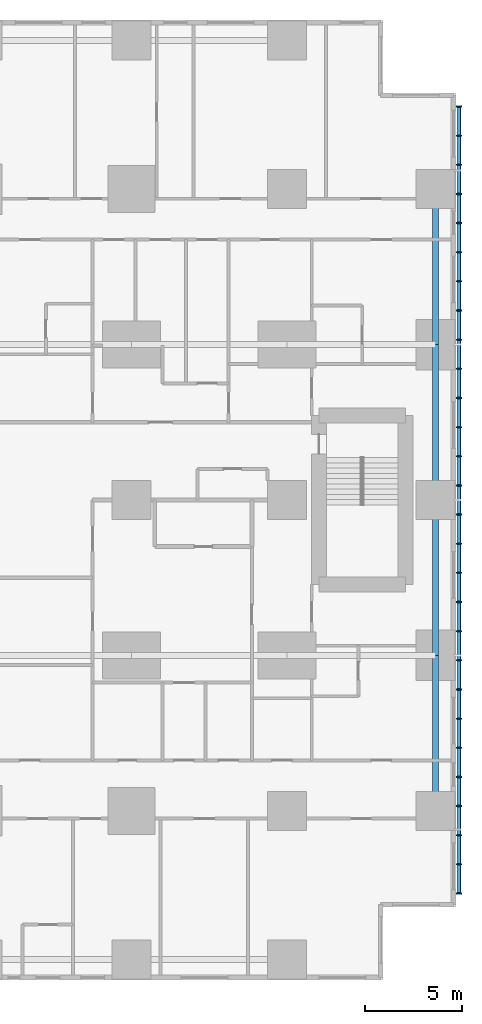
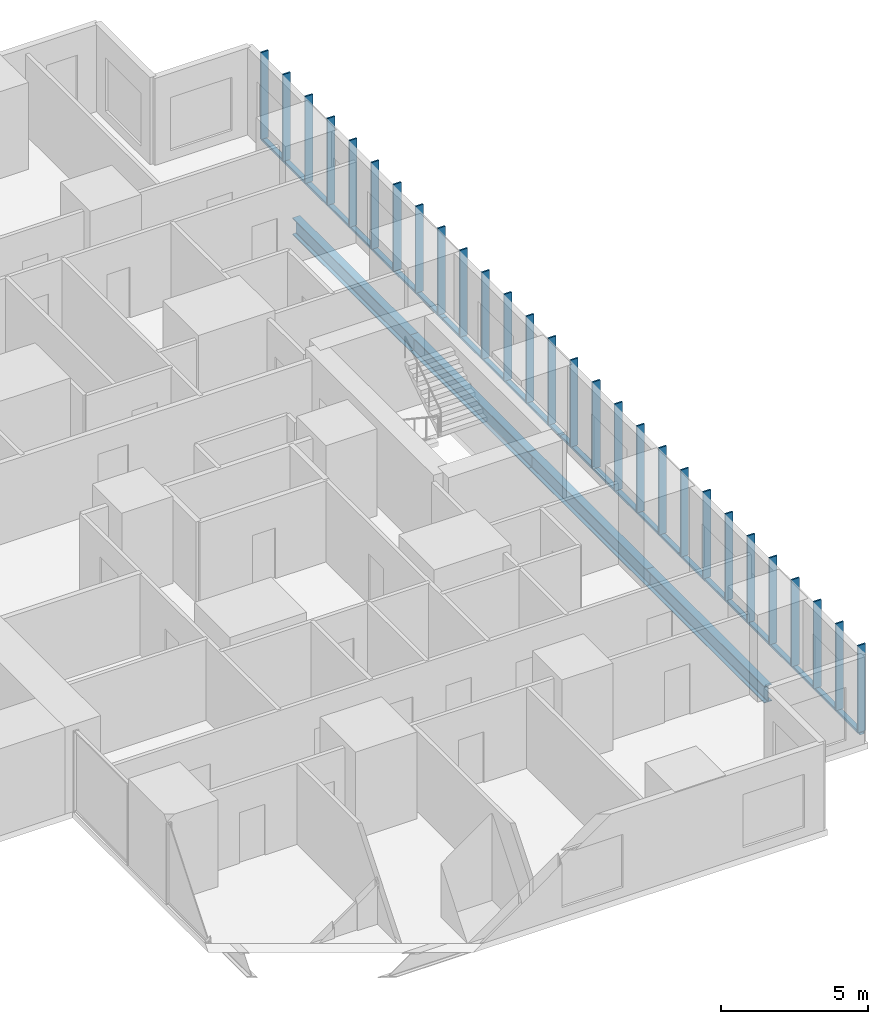
# One storey, part 6 of 20: 32 members, 4 beams.
"""IFC4 building model written with IfcOpenShell, lengths in metres."""

from ifc_helpers import new_model, si_unit, direction, frame, origin, origin_2d, place, context, subcontext, project, spatial, rectangle, hollow_rectangle, i_section, extrude, material, material_profile, profile_set, type_object, element, save


model = new_model("IFC4")

# Units and contexts
model_context = context("Model", 3, precision=1e-05, world=origin(), true_north=direction((0.0, 1.0)))
body_context = subcontext(model_context, "Body", "Model", "MODEL_VIEW")
ifc_project = project(units=[si_unit("LENGTHUNIT", "METRE"), si_unit("AREAUNIT", "SQUARE_METRE"), si_unit("VOLUMEUNIT", "CUBIC_METRE"), si_unit("PLANEANGLEUNIT", "RADIAN"), si_unit("MASSUNIT", "GRAM", prefix="KILO")], contexts=[model_context])

# Site, building, storey
site_placement = place(None, origin())
site = spatial("IfcSite", under=ifc_project, at=site_placement, CompositionType="ELEMENT")
building_placement = place(site_placement, origin())
building = spatial("IfcBuilding", under=site, at=building_placement, Name="Cleftline Residences", CompositionType="ELEMENT")
storey_placement = place(building_placement, frame((0.0, 0.0, 103.39990234375)))
storey = spatial("IfcBuildingStorey", under=building, at=storey_placement, Name="L26", CompositionType="ELEMENT", Elevation=103.39990234375)

# Members
ifc_material_1 = material(Name="Steel S355, hot-dip galvanised", Category="steel")
ifc_material_profile_1 = material_profile(ifc_material_1, hollow_rectangle(XDim=0.10009765625, YDim=0.199951171875, WallThickness=0.008056640625, InnerFilletRadius=0.008056640625, OuterFilletRadius=0.011962890625, at=origin_2d()))
ifc_profile_set_1 = profile_set([ifc_material_profile_1], Name="Steel S355, hot-dip galvanised")
member_type_1 = type_object("IfcMemberType", Name="BAGUETTE CARRIER RHS 200X100X8", PredefinedType="USERDEFINED", material=ifc_profile_set_1)
member_1_placement = place(storey_placement, frame((66.85009765625, 3.699951171875, -0.0498046875), z_axis=(0.0, 1.0, 0.0), x_axis=(0.0, 0.0, 1.0)))
element("IfcMember", 1, at=member_1_placement, inside=storey, type_object=member_type_1, Name="Baguette carrier", ObjectType="BAGUETTE CARRIER", PredefinedType="USERDEFINED", context=body_context, shape_type="SweptSolid", body=[
    extrude(hollow_rectangle(XDim=0.10009765625, YDim=0.199951171875, WallThickness=0.008056640625, InnerFilletRadius=0.008056640625, OuterFilletRadius=0.011962890625, at=origin_2d()), origin(), (0.0, 0.0, 1.0), 12.300048828125),
])
for number, where, z_axis, x_axis, name in (
    (2, (66.85009765625, 16.0, -0.0498046875), (0.0, 1.0, 0.0), (0.0, 0.0, 1.0), "Baguette carrier"),
    (3, (66.85009765625, 24.0, -0.0498046875), (0.0, 1.0, 0.0), (0.0, 0.0, 1.0), "Baguette carrier"),
):
    element("IfcMember", number, at=place(storey_placement, frame(where, z_axis=z_axis, x_axis=x_axis)), inside=storey, type_object=member_type_1, Name=name, ObjectType="BAGUETTE CARRIER", PredefinedType="USERDEFINED", context=body_context, shape_type="SweptSolid", body=[
        extrude(hollow_rectangle(XDim=0.10009765625, YDim=0.199951171875, WallThickness=0.008056640625, InnerFilletRadius=0.008056640625, OuterFilletRadius=0.011962890625, at=origin_2d()), origin(), (0.0, 0.0, 1.0), 8.0),
    ])
member_2_placement = place(storey_placement, frame((66.85009765625, 32.0, -0.0498046875), z_axis=(0.0, 1.0, 0.0), x_axis=(0.0, 0.0, 1.0)))
element("IfcMember", 4, at=member_2_placement, inside=storey, type_object=member_type_1, Name="Baguette carrier", ObjectType="BAGUETTE CARRIER", PredefinedType="USERDEFINED", context=body_context, shape_type="SweptSolid", body=[
    extrude(hollow_rectangle(XDim=0.10009765625, YDim=0.199951171875, WallThickness=0.008056640625, InnerFilletRadius=0.008056640625, OuterFilletRadius=0.011962890625, at=origin_2d()), origin(), (0.0, 0.0, 1.0), 12.300048828125),
])

# Beams
ifc_material_2 = material(Name="Steel S355", Category="steel")
ifc_material_profile_2 = material_profile(ifc_material_2, i_section(OverallWidth=0.300048828125, OverallDepth=0.699951171875, WebThickness=0.01708984375, FlangeThickness=0.031982421875, FilletRadius=0.027099609375, at=origin_2d()))
ifc_profile_set_2 = profile_set([ifc_material_profile_2], Name="Steel S355")
beam_type = type_object("IfcBeamType", Name="BEAM HEB 700", PredefinedType="BEAM", material=ifc_profile_set_2)
for number, where, z_axis, x_axis, name in (
    (5, (65.64990234375, 8.0, -0.599853515625), (0.0, 1.0, 0.0), (-1.0, 0.0, 0.0), "Edge beam"),
    (6, (65.64990234375, 16.0, -0.599853515625), (0.0, 1.0, 0.0), (-1.0, 0.0, 0.0), "Edge beam"),
    (7, (65.64990234375, 24.0, -0.599853515625), (0.0, 1.0, 0.0), (-1.0, 0.0, 0.0), "Edge beam"),
    (8, (65.64990234375, 32.0, -0.599853515625), (0.0, 1.0, 0.0), (-1.0, 0.0, 0.0), "Edge beam"),
):
    element("IfcBeam", number, at=place(storey_placement, frame(where, z_axis=z_axis, x_axis=x_axis)), inside=storey, type_object=beam_type, Name=name, PredefinedType="BEAM", context=body_context, shape_type="SweptSolid", body=[
        extrude(i_section(OverallWidth=0.300048828125, OverallDepth=0.699951171875, WebThickness=0.01708984375, FlangeThickness=0.031982421875, FilletRadius=0.027099609375, at=origin_2d()), origin(), (0.0, 0.0, 1.0), 8.0),
    ])

# Members
ifc_material_3 = material(Name="Extruded terracotta", Category="masonry")
ifc_material_profile_3 = material_profile(ifc_material_3, rectangle(XDim=0.06005859375, YDim=0.300048828125, at=origin_2d()))
ifc_profile_set_3 = profile_set([ifc_material_profile_3], Name="Extruded terracotta")
member_type_2 = type_object("IfcMemberType", Name="TERRACOTTA BAGUETTE 60X300", PredefinedType="USERDEFINED", material=ifc_profile_set_3)
for number, where, z_axis, x_axis, name in (
    (9, (66.85009765625, 3.75, 0.0), (0.0, 0.0, 1.0), (0.0, 1.0, 0.0), "Terracotta baguette"),
    (10, (66.85009765625, 5.25, 0.0), (0.0, 0.0, 1.0), (0.0, 1.0, 0.0), "Terracotta baguette"),
    (11, (66.85009765625, 6.75, 0.0), (0.0, 0.0, 1.0), (0.0, 1.0, 0.0), "Terracotta baguette"),
    (12, (66.85009765625, 8.25, 0.0), (0.0, 0.0, 1.0), (0.0, 1.0, 0.0), "Terracotta baguette"),
    (13, (66.85009765625, 9.75, 0.0), (0.0, 0.0, 1.0), (0.0, 1.0, 0.0), "Terracotta baguette"),
    (14, (66.85009765625, 11.25, 0.0), (0.0, 0.0, 1.0), (0.0, 1.0, 0.0), "Terracotta baguette"),
    (15, (66.85009765625, 12.75, 0.0), (0.0, 0.0, 1.0), (0.0, 1.0, 0.0), "Terracotta baguette"),
    (16, (66.85009765625, 14.25, 0.0), (0.0, 0.0, 1.0), (0.0, 1.0, 0.0), "Terracotta baguette"),
    (17, (66.85009765625, 15.75, 0.0), (0.0, 0.0, 1.0), (0.0, 1.0, 0.0), "Terracotta baguette"),
    (18, (66.85009765625, 17.25, 0.0), (0.0, 0.0, 1.0), (0.0, 1.0, 0.0), "Terracotta baguette"),
    (19, (66.85009765625, 18.75, 0.0), (0.0, 0.0, 1.0), (0.0, 1.0, 0.0), "Terracotta baguette"),
    (20, (66.85009765625, 20.25, 0.0), (0.0, 0.0, 1.0), (0.0, 1.0, 0.0), "Terracotta baguette"),
    (21, (66.85009765625, 21.75, 0.0), (0.0, 0.0, 1.0), (0.0, 1.0, 0.0), "Terracotta baguette"),
    (22, (66.85009765625, 23.25, 0.0), (0.0, 0.0, 1.0), (0.0, 1.0, 0.0), "Terracotta baguette"),
    (23, (66.85009765625, 24.75, 0.0), (0.0, 0.0, 1.0), (0.0, 1.0, 0.0), "Terracotta baguette"),
    (24, (66.85009765625, 26.25, 0.0), (0.0, 0.0, 1.0), (0.0, 1.0, 0.0), "Terracotta baguette"),
    (25, (66.85009765625, 27.75, 0.0), (0.0, 0.0, 1.0), (0.0, 1.0, 0.0), "Terracotta baguette"),
    (26, (66.85009765625, 29.25, 0.0), (0.0, 0.0, 1.0), (0.0, 1.0, 0.0), "Terracotta baguette"),
    (27, (66.85009765625, 30.75, 0.0), (0.0, 0.0, 1.0), (0.0, 1.0, 0.0), "Terracotta baguette"),
    (28, (66.85009765625, 32.25, 0.0), (0.0, 0.0, 1.0), (0.0, 1.0, 0.0), "Terracotta baguette"),
    (29, (66.85009765625, 33.75, 0.0), (0.0, 0.0, 1.0), (0.0, 1.0, 0.0), "Terracotta baguette"),
    (30, (66.85009765625, 35.25, 0.0), (0.0, 0.0, 1.0), (0.0, 1.0, 0.0), "Terracotta baguette"),
    (31, (66.85009765625, 36.75, 0.0), (0.0, 0.0, 1.0), (0.0, 1.0, 0.0), "Terracotta baguette"),
    (32, (66.85009765625, 38.25, 0.0), (0.0, 0.0, 1.0), (0.0, 1.0, 0.0), "Terracotta baguette"),
    (33, (66.85009765625, 39.75, 0.0), (0.0, 0.0, 1.0), (0.0, 1.0, 0.0), "Terracotta baguette"),
    (34, (66.85009765625, 41.25, 0.0), (0.0, 0.0, 1.0), (0.0, 1.0, 0.0), "Terracotta baguette"),
    (35, (66.85009765625, 42.75, 0.0), (0.0, 0.0, 1.0), (0.0, 1.0, 0.0), "Terracotta baguette"),
    (36, (66.85009765625, 44.25, 0.0), (0.0, 0.0, 1.0), (0.0, 1.0, 0.0), "Terracotta baguette"),
):
    element("IfcMember", number, at=place(storey_placement, frame(where, z_axis=z_axis, x_axis=x_axis)), inside=storey, type_object=member_type_2, Name=name, ObjectType="BAGUETTE", PredefinedType="USERDEFINED", context=body_context, shape_type="SweptSolid", body=[
        extrude(rectangle(XDim=0.06005859375, YDim=0.300048828125, at=origin_2d()), origin(), (0.0, 0.0, 1.0), 3.60009765625),
    ])

save(model, "model.ifc")
